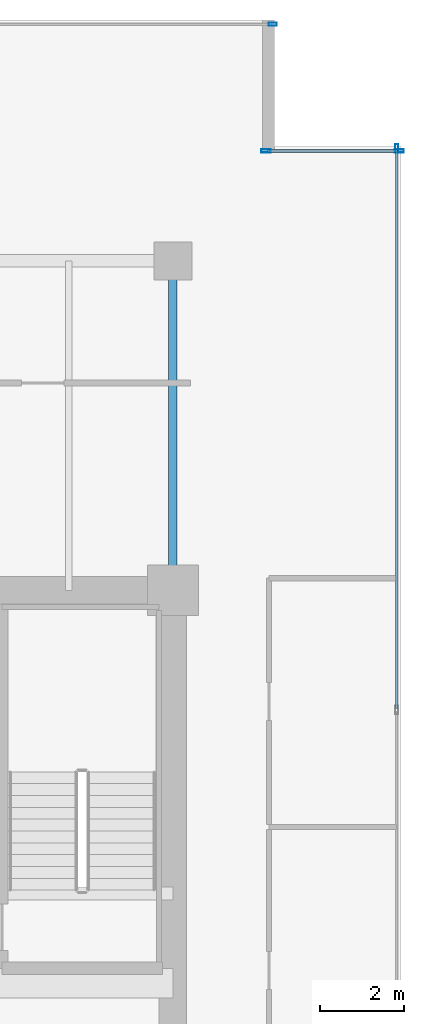
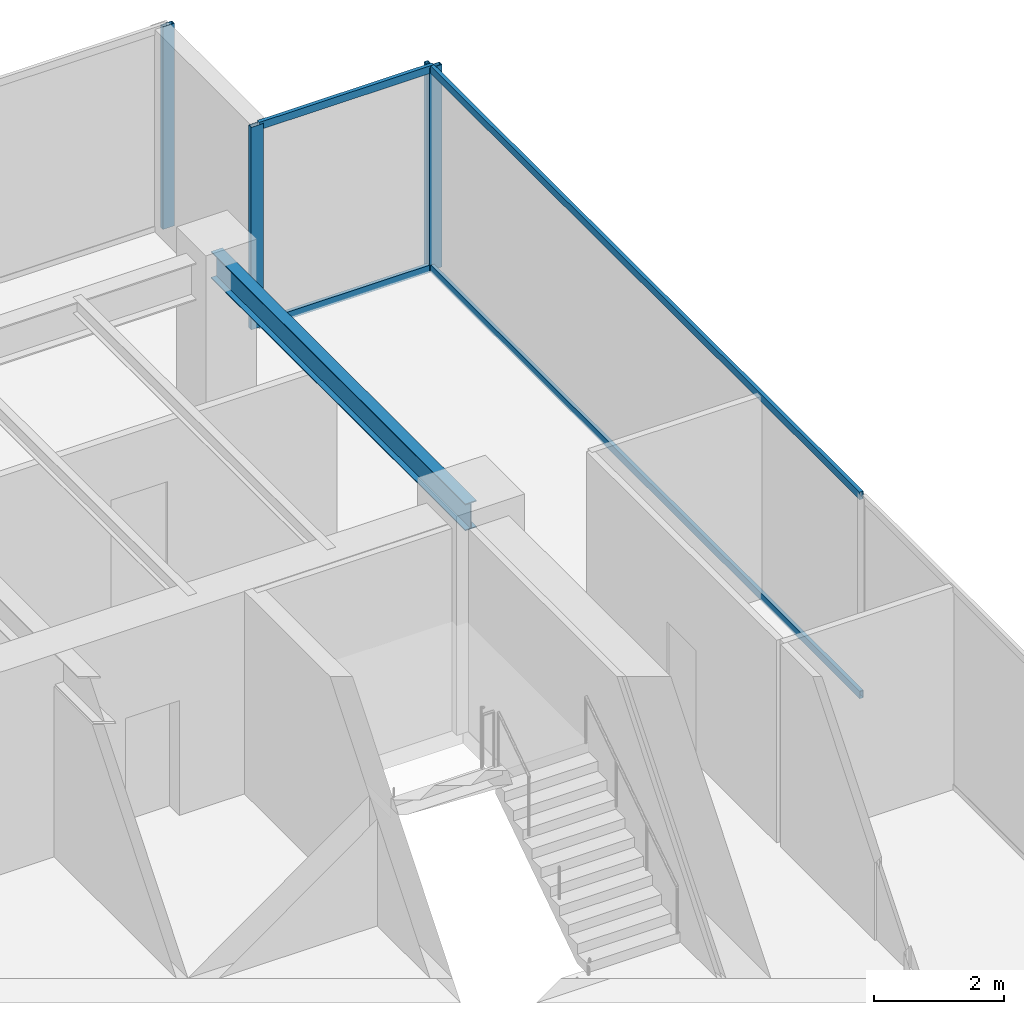
# One storey, part 23 of 31: 8 members, 1 beam, 3 elements without a shape of their own.
"""IFC4 building model written with IfcOpenShell, lengths in metres."""

import ifcopenshell
import ifcopenshell.guid

model = None  # the IFC model being written
_history = None  # IfcOwnerHistory: only IFC2X3 demands one
_inside = {}  # id of a spatial element -> (the spatial element, [elements in it])
_under = {}  # id of a project, library or spatial element -> (it, [spatial elements below it])
_declared = {}  # id of a project -> (the project, [libraries it declares])
_typed = {}  # id of a type object -> (the type object, [elements of that type])
_made_of = {}  # id of a material, layer set ... -> (it, [elements and type objects made of it])


def new_model(schema):
    """Start an empty IFC model of exactly this schema.

    Asked for "IFC4X3", IfcOpenShell would pick the latest addendum, in which some entities
    have other attributes; the version numbers below select the first issue.
    IFC2X3 requires an IfcOwnerHistory on every rooted entity: one is made here for all.
    """
    global model, _history
    if schema == "IFC4X3":
        model = ifcopenshell.file(schema_version=(4, 3, 0, 0))
    else:
        model = ifcopenshell.file(schema=schema)
    _inside.clear()
    _under.clear()
    _declared.clear()
    _typed.clear()
    _made_of.clear()
    _history = None
    if model.schema == "IFC2X3":
        org = make("IfcOrganization", Name="unknown")
        user = make(
            "IfcPersonAndOrganization",
            ThePerson=make("IfcPerson", FamilyName="unknown"),
            TheOrganization=org,
        )
        app = make(
            "IfcApplication",
            ApplicationDeveloper=org,
            Version="unknown",
            ApplicationFullName="unknown",
            ApplicationIdentifier="unknown",
        )
        _history = make(
            "IfcOwnerHistory",
            OwningUser=user,
            OwningApplication=app,
            ChangeAction="ADDED",
            CreationDate=0,
        )
    return model


def make(cls, **values):
    """One entity of the class cls with the attributes given. An attribute that is None is left unset."""
    return model.create_entity(
        cls, **{name: value for name, value in values.items() if value is not None}
    )


def rooted(cls, **values):
    """An entity with a GlobalId (a new one), such as an element, a storey or a relation."""
    return make(cls, GlobalId=ifcopenshell.guid.new(), OwnerHistory=_history, **values)


def si_unit(unit_type, name, prefix=None):
    """IfcSIUnit, for example si_unit("LENGTHUNIT", "METRE", prefix="MILLI")."""
    return make("IfcSIUnit", UnitType=unit_type, Prefix=prefix, Name=name)


def assignment(units):
    """IfcUnitAssignment: the units of a project."""
    return None if units is None else make("IfcUnitAssignment", Units=units)


def point(xyz):
    """IfcCartesianPoint."""
    return None if xyz is None else make("IfcCartesianPoint", Coordinates=xyz)


def direction(xyz):
    """IfcDirection."""
    return None if xyz is None else make("IfcDirection", DirectionRatios=xyz)


def frame(location, z_axis=None, x_axis=None):
    """IfcAxis2Placement3D, a coordinate frame: its origin and axes. An axis left out is left unset."""
    return make(
        "IfcAxis2Placement3D",
        Location=point(location),
        Axis=direction(z_axis),
        RefDirection=direction(x_axis),
    )


def frame_2d(location, x_axis=None):
    """IfcAxis2Placement2D, a coordinate frame in the plane: its origin and x axis."""
    return make(
        "IfcAxis2Placement2D", Location=point(location), RefDirection=direction(x_axis)
    )


def origin():
    """The frame at (0, 0, 0) with its axes left unset."""
    return frame((0.0, 0.0, 0.0))


def origin_2d():
    """The frame at (0, 0) in the plane with its x axis left unset."""
    return frame_2d((0.0, 0.0))


def place(relative_to, where):
    """IfcLocalPlacement: puts the frame where relative to a parent placement (None: the world)."""
    return make(
        "IfcLocalPlacement", PlacementRelTo=relative_to, RelativePlacement=where
    )


def context(
    kind, dimensions, precision=None, world=None, true_north=None, identifier=None
):
    """IfcGeometricRepresentationContext, for example the 3D "Model" context."""
    return make(
        "IfcGeometricRepresentationContext",
        ContextIdentifier=identifier,
        ContextType=kind,
        CoordinateSpaceDimension=dimensions,
        Precision=precision,
        WorldCoordinateSystem=world,
        TrueNorth=true_north,
    )


def subcontext(parent, identifier, kind, view, scale=None):
    """IfcGeometricRepresentationSubContext, for example "Body" below "Model"."""
    return make(
        "IfcGeometricRepresentationSubContext",
        ContextIdentifier=identifier,
        ContextType=kind,
        ParentContext=parent,
        TargetScale=scale,
        TargetView=view,
    )


def project(units=None, contexts=None):
    """IfcProject with its units and contexts."""
    return rooted(
        "IfcProject",
        Name="project",
        RepresentationContexts=contexts,
        UnitsInContext=assignment(units),
    )


def spatial(cls, under=None, at=None, **own):
    """A site, building, storey or space (cls), placed at a placement, below another one or the project."""
    s = rooted(cls, ObjectPlacement=at, **own)
    if under is not None:
        _under.setdefault(under.id(), (under, []))[1].append(s)
    return s


def profile(cls, at=None, kind="AREA", **sizes):
    """A parametric profile (cls). Its sizes go by their IFC names, for example OverallWidth=200.0."""
    return make(cls, ProfileType=kind, Position=at, **sizes)


def hollow_rectangle(**sizes):
    """IfcRectangleHollowProfileDef."""
    return profile("IfcRectangleHollowProfileDef", **sizes)


def i_section(**sizes):
    """IfcIShapeProfileDef."""
    return profile("IfcIShapeProfileDef", **sizes)


def extrude(swept, where, along, depth):
    """IfcExtrudedAreaSolid: the profile swept, set in the frame where, extruded along a direction by depth."""
    return make(
        "IfcExtrudedAreaSolid",
        SweptArea=swept,
        Position=where,
        ExtrudedDirection=direction(along),
        Depth=depth,
    )


def shape(context_of_items, identifier, shape_type, items):
    """IfcShapeRepresentation: the items that make up one representation, for example the "Body"."""
    return make(
        "IfcShapeRepresentation",
        ContextOfItems=context_of_items,
        RepresentationIdentifier=identifier,
        RepresentationType=shape_type,
        Items=items,
    )


def source(mapping_origin, context_of_items, identifier, shape_type, items):
    """IfcRepresentationMap: a shape defined once, which mapped items show again and again."""
    return make(
        "IfcRepresentationMap",
        MappingOrigin=mapping_origin,
        MappedRepresentation=shape(context_of_items, identifier, shape_type, items),
    )


def transform(
    local_origin,
    x_axis=None,
    y_axis=None,
    z_axis=None,
    scale=None,
    scale2=None,
    scale3=None,
    uniform=True,
):
    """IfcCartesianTransformationOperator3D, or its non-uniform kind. x_axis, y_axis, z_axis: its Axis1, 2, 3."""
    if uniform:
        return make(
            "IfcCartesianTransformationOperator3D",
            Axis1=direction(x_axis),
            Axis2=direction(y_axis),
            LocalOrigin=point(local_origin),
            Scale=scale,
            Axis3=direction(z_axis),
        )
    return make(
        "IfcCartesianTransformationOperator3DnonUniform",
        Axis1=direction(x_axis),
        Axis2=direction(y_axis),
        LocalOrigin=point(local_origin),
        Scale=scale,
        Axis3=direction(z_axis),
        Scale2=scale2,
        Scale3=scale3,
    )


def mapped(mapping_source, mapping_target):
    """IfcMappedItem: shows the shape of a source again, moved by a transform."""
    return make(
        "IfcMappedItem", MappingSource=mapping_source, MappingTarget=mapping_target
    )


def material(Name=None, Category=None):
    """IfcMaterial."""
    return make("IfcMaterial", Name=Name, Category=Category)


def layer(
    of_material, thickness, ventilated=None, Name=None, Category=None, Priority=None
):
    """IfcMaterialLayer: one layer of a wall or slab, of a material (None: an air gap)."""
    return make(
        "IfcMaterialLayer",
        Material=of_material,
        LayerThickness=thickness,
        IsVentilated=ventilated,
        Name=Name,
        Category=Category,
        Priority=Priority,
    )


def layer_set(layers, Name=None):
    """IfcMaterialLayerSet."""
    return make("IfcMaterialLayerSet", MaterialLayers=layers, LayerSetName=Name)


def material_profile(
    of_material, cross_section, Name=None, Category=None, Priority=None
):
    """IfcMaterialProfile: a cross section and its material."""
    return make(
        "IfcMaterialProfile",
        Name=Name,
        Material=of_material,
        Profile=cross_section,
        Priority=Priority,
        Category=Category,
    )


def profile_set(profiles, Name=None, composite=None):
    """IfcMaterialProfileSet."""
    return make(
        "IfcMaterialProfileSet",
        Name=Name,
        MaterialProfiles=profiles,
        CompositeProfile=composite,
    )


def made_of(thing, what):
    """Note that an element or type object is made of a material, layer set ...; save() writes the relation."""
    if what is not None:
        _made_of.setdefault(what.id(), (what, []))[1].append(thing)
    return thing


def type_object(cls, material=None, **own):
    """A type object (cls), such as IfcWallType, which elements share."""
    return made_of(rooted(cls, **own), material)


def type_shapes(of_type, sources):
    """Give a type object the sources (RepresentationMaps) that its elements show as mapped items."""
    of_type.RepresentationMaps = sources


def element(
    cls,
    number,
    at=None,
    inside=None,
    cuts=None,
    type_object=None,
    material=None,
    context=None,
    identifier="Body",
    shape_type=None,
    held_by="IfcProductDefinitionShape",
    body=None,
    shapes=None,
    **own,
):
    """One element of the class cls, such as IfcWall. Its Tag is "e" and its number.

    at: its placement. inside: the storey or other place that contains it. cuts: it is an
    opening in that element (IfcRelVoidsElement). A single representation is given by context,
    identifier, shape_type and body (its items); several are given by shapes. held_by: the class
    of the entity that holds the representations. save() writes the other relations.
    """
    e = rooted(cls, Tag="e%d" % number, ObjectPlacement=at, **own)
    if body is not None:
        shapes = [shape(context, identifier, shape_type, body)]
    if shapes is not None:
        e.Representation = make(held_by, Representations=shapes)
    if inside is not None:
        _inside.setdefault(inside.id(), (inside, []))[1].append(e)
    if cuts is not None:
        rooted(
            "IfcRelVoidsElement", RelatingBuildingElement=cuts, RelatedOpeningElement=e
        )
    if type_object is not None:
        _typed.setdefault(type_object.id(), (type_object, []))[1].append(e)
    return made_of(e, material)


def aggregate(whole, parts):
    """IfcRelAggregates: a whole, such as a stair, and the parts it consists of."""
    return rooted("IfcRelAggregates", RelatingObject=whole, RelatedObjects=parts)


def save(model, path):
    """Write the relations noted so far, then the file.

    IfcRelAggregates (storeys below a building ...), IfcRelContainedInSpatialStructure (elements
    in a storey), IfcRelDefinesByType, IfcRelAssociatesMaterial and IfcRelDeclares: one each for
    every whole, place, type object, material and project.
    """
    for whole, parts in _under.values():
        aggregate(whole, parts)
    for where, things in _inside.values():
        rooted(
            "IfcRelContainedInSpatialStructure",
            RelatedElements=things,
            RelatingStructure=where,
        )
    for kind, things in _typed.values():
        rooted("IfcRelDefinesByType", RelatedObjects=things, RelatingType=kind)
    for what, things in _made_of.values():
        rooted("IfcRelAssociatesMaterial", RelatedObjects=things, RelatingMaterial=what)
    for by, libraries in _declared.values():
        rooted("IfcRelDeclares", RelatingContext=by, RelatedDefinitions=libraries)
    model.write(path)


model = new_model("IFC4")

# Units and contexts
model_context = context("Model", 3, precision=1e-05, world=origin(), true_north=direction((0.0, 1.0)))
body_context = subcontext(model_context, "Body", "Model", "MODEL_VIEW")
ifc_project = project(units=[si_unit("LENGTHUNIT", "METRE"), si_unit("AREAUNIT", "SQUARE_METRE"), si_unit("VOLUMEUNIT", "CUBIC_METRE"), si_unit("PLANEANGLEUNIT", "RADIAN"), si_unit("MASSUNIT", "GRAM", prefix="KILO")], contexts=[model_context])

# Site, building, storey
site_placement = place(None, origin())
site = spatial("IfcSite", under=ifc_project, at=site_placement, CompositionType="ELEMENT")
building_placement = place(site_placement, origin())
building = spatial("IfcBuilding", under=site, at=building_placement, Name="Haelvirn Gate Laboratories", CompositionType="ELEMENT")
storey_placement = place(building_placement, frame((0.0, 0.0, 150.199951171875)))
storey = spatial("IfcBuildingStorey", under=building, at=storey_placement, Name="L36", CompositionType="ELEMENT", Elevation=150.199951171875)

# Beam
ifc_material_1 = material(Name="Steel SM355", Category="steel")
ifc_material_profile_1 = material_profile(ifc_material_1, i_section(OverallWidth=0.199951171875, OverallDepth=0.5, WebThickness=0.010009765625, FlangeThickness=0.01611328125, at=origin_2d()), Name="H-500x200x10x16")
ifc_profile_set_1 = profile_set([ifc_material_profile_1], Name="Steel SM355")
beam_type = type_object("IfcBeamType", Name="BM-SP-500", PredefinedType="SPANDREL", material=ifc_profile_set_1)
shared_shape_1 = source(origin(), body_context, "Body", "SweptSolid", [
    extrude(i_section(OverallWidth=0.199951171875, OverallDepth=0.5, WebThickness=0.010009765625, FlangeThickness=0.01611328125, at=origin_2d()), origin(), (0.0, 0.0, 1.0), 7.800048828125),
])
type_shapes(beam_type, [shared_shape_1])
beam_placement = place(storey_placement, frame((67.39990234375, 33.800048828125, 3.5400390625), z_axis=(0.0, 1.0, 0.0), x_axis=(-1.0, 0.0, 0.0)))
element("IfcBeam", 1, at=beam_placement, inside=storey, type_object=beam_type, Name="L36 Perimeter Spandrel X67.4 (33.8-41.6)", PredefinedType="SPANDREL", context=body_context, shape_type="MappedRepresentation", body=[
    mapped(shared_shape_1, transform((0.0, 0.0, 0.0), scale=1.0)),
])

# Curtain wall, members
ifc_material_2 = material(Name="Anodised bronze unitised aluminium & triple low-E glass", Category="aluminium")
ifc_layer_1 = layer(ifc_material_2, 0.181884765625, Name="CW-SYS-5")
ifc_layer_set_1 = layer_set([ifc_layer_1], Name="Anodised bronze unitised aluminium & triple low-E glass")
curtain_wall_type_1 = type_object("IfcCurtainWallType", Name="CW-SYS-5", PredefinedType="NOTDEFINED", material=ifc_layer_set_1)
curtain_wall_1_placement = place(storey_placement, origin())
curtain_wall_1 = element("IfcCurtainWall", 2, at=curtain_wall_1_placement, inside=storey, type_object=curtain_wall_type_1, Name="L36 Unitised Curtain Wall CW-L36-P0-E08-1", PredefinedType="NOTDEFINED")
ifc_material_3 = material(Name="Extruded aluminium 6063-T6 (anodised bronze)", Category="aluminium")
ifc_material_profile_2 = material_profile(ifc_material_3, hollow_rectangle(XDim=0.06494140625, YDim=0.139892578125, WallThickness=0.00390625, at=origin_2d()), Name="CWT-140x65x4")
ifc_profile_set_2 = profile_set([ifc_material_profile_2], Name="Extruded aluminium 6063-T6 (anodised bronze)")
member_type_1 = type_object("IfcMemberType", Name="CWT-T140", PredefinedType="USERDEFINED", material=ifc_profile_set_2)
shared_shape_2 = source(origin(), body_context, "Body", "SweptSolid", [
    extrude(hollow_rectangle(XDim=0.06494140625, YDim=0.139892578125, WallThickness=0.00390625, at=origin_2d()), origin(), (0.0, 0.0, 1.0), 3.080078125),
])
member_1_placement = place(storey_placement, frame((69.639892578125, 44.199951171875, 0.032470703125), z_axis=(1.0, 0.0, 0.0), x_axis=(0.0, 1.0, 0.0)))
member_1 = element("IfcMember", 3, at=member_1_placement, type_object=member_type_1, Name="CW5 transom 1.1", ObjectType="TRANSOM", PredefinedType="USERDEFINED", context=body_context, shape_type="MappedRepresentation", body=[
    mapped(shared_shape_2, transform((0.0, 0.0, 0.0), scale=1.0)),
])
member_2_placement = place(storey_placement, frame((69.639892578125, 44.199951171875, 3.757568359375), z_axis=(1.0, 0.0, 0.0), x_axis=(0.0, 1.0, 0.0)))
member_2 = element("IfcMember", 4, at=member_2_placement, type_object=member_type_1, Name="CW5 transom 1.2", ObjectType="TRANSOM", PredefinedType="USERDEFINED", context=body_context, shape_type="MappedRepresentation", body=[
    mapped(shared_shape_2, transform((0.0, 0.0, 0.0), scale=1.0)),
])

ifc_layer_2 = layer(ifc_material_2, 0.179931640625, Name="CW-SYS-3")
ifc_layer_set_2 = layer_set([ifc_layer_2], Name="Anodised bronze unitised aluminium & triple low-E glass")
curtain_wall_type_2 = type_object("IfcCurtainWallType", Name="CW-SYS-3", PredefinedType="NOTDEFINED", material=ifc_layer_set_2)
curtain_wall_2_placement = place(storey_placement, origin())
curtain_wall_2 = element("IfcCurtainWall", 5, at=curtain_wall_2_placement, inside=storey, type_object=curtain_wall_type_2, Name="L36 Unitised Curtain Wall CW-L36-P0-E07", PredefinedType="NOTDEFINED")
shared_shape_3 = source(origin(), body_context, "Body", "SweptSolid", [
    extrude(hollow_rectangle(XDim=0.06494140625, YDim=0.139892578125, WallThickness=0.00390625, at=origin_2d()), origin(), (0.0, 0.0, 1.0), 13.220947265625),
])
type_shapes(member_type_1, [shared_shape_2, shared_shape_3])
member_3_placement = place(storey_placement, frame((72.699951171875, 31.004150390625, 0.032470703125), z_axis=(0.0, 1.0, 0.0), x_axis=(-1.0, 0.0, 0.0)))
member_3 = element("IfcMember", 6, at=member_3_placement, type_object=member_type_1, Name="CW3 transom 3.1", ObjectType="TRANSOM", PredefinedType="USERDEFINED", context=body_context, shape_type="MappedRepresentation", body=[
    mapped(shared_shape_3, transform((0.0, 0.0, 0.0), scale=1.0)),
])
member_4_placement = place(storey_placement, frame((72.699951171875, 31.004150390625, 3.757568359375), z_axis=(0.0, 1.0, 0.0), x_axis=(-1.0, 0.0, 0.0)))
member_4 = element("IfcMember", 7, at=member_4_placement, type_object=member_type_1, Name="CW3 transom 3.2", ObjectType="TRANSOM", PredefinedType="USERDEFINED", context=body_context, shape_type="MappedRepresentation", body=[
    mapped(shared_shape_3, transform((0.0, 0.0, 0.0), scale=1.0)),
])
ifc_material_profile_3 = material_profile(ifc_material_3, hollow_rectangle(XDim=0.074951171875, YDim=0.199951171875, WallThickness=0.0048828125, at=origin_2d()), Name="CWM-200x75x5")
ifc_profile_set_3 = profile_set([ifc_material_profile_3], Name="Extruded aluminium 6063-T6 (anodised bronze)")
member_type_2 = type_object("IfcMemberType", Name="CWM-T200", PredefinedType="MULLION", material=ifc_profile_set_3)
shared_shape_4 = source(origin(), body_context, "Body", "SweptSolid", [
    extrude(hollow_rectangle(XDim=0.074951171875, YDim=0.199951171875, WallThickness=0.0048828125, at=origin_2d()), origin(), (0.0, 0.0, 1.0), 3.7900390625),
])
type_shapes(member_type_2, [shared_shape_4])
member_5_placement = place(storey_placement, frame((72.699951171875, 44.262451171875, 0.0), z_axis=(0.0, 0.0, 1.0), x_axis=(-1.0, 0.0, 0.0)))
member_5 = element("IfcMember", 8, at=member_5_placement, type_object=member_type_2, Name="CW3 mullion 4", PredefinedType="MULLION", context=body_context, shape_type="MappedRepresentation", body=[
    mapped(shared_shape_4, transform((0.0, 0.0, 0.0), scale=1.0)),
])
aggregate(curtain_wall_2, [member_5, member_3, member_4])

# Curtain wall, member
curtain_wall_3_placement = place(storey_placement, origin())
curtain_wall_3 = element("IfcCurtainWall", 9, at=curtain_wall_3_placement, inside=storey, type_object=curtain_wall_type_2, Name="L36 Unitised Curtain Wall CW-L36-P0-E10-1", PredefinedType="NOTDEFINED")
member_6_placement = place(storey_placement, frame((69.762451171875, 47.199951171875, 0.0), z_axis=(0.0, 0.0, 1.0), x_axis=(0.0, 1.0, 0.0)))
member_6 = element("IfcMember", 10, at=member_6_placement, type_object=member_type_2, Name="CW3 mullion 3", PredefinedType="MULLION", context=body_context, shape_type="MappedRepresentation", body=[
    mapped(shared_shape_4, transform((0.0, 0.0, 0.0), scale=1.0)),
])
aggregate(curtain_wall_3, [member_6])

# Member
ifc_material_profile_4 = material_profile(ifc_material_3, hollow_rectangle(XDim=0.080078125, YDim=0.219970703125, WallThickness=0.006103515625, at=origin_2d()), Name="CWM-220x80x6")
ifc_profile_set_4 = profile_set([ifc_material_profile_4], Name="Extruded aluminium 6063-T6 (anodised bronze)")
member_type_3 = type_object("IfcMemberType", Name="CWM-T220", PredefinedType="MULLION", material=ifc_profile_set_4)
shared_shape_5 = source(origin(), body_context, "Body", "SweptSolid", [
    extrude(hollow_rectangle(XDim=0.080078125, YDim=0.219970703125, WallThickness=0.006103515625, at=origin_2d()), origin(), (0.0, 0.0, 1.0), 3.7900390625),
])
type_shapes(member_type_3, [shared_shape_5])
member_7_placement = place(storey_placement, frame((69.60009765625, 44.199951171875, 0.0), z_axis=(0.0, 0.0, 1.0), x_axis=(0.0, 1.0, 0.0)))
member_7 = element("IfcMember", 11, at=member_7_placement, type_object=member_type_3, Name="CW5 mullion 1", PredefinedType="MULLION", context=body_context, shape_type="MappedRepresentation", body=[
    mapped(shared_shape_5, transform((0.0, 0.0, 0.0), scale=1.0)),
])

member_8_placement = place(storey_placement, frame((72.760009765625, 44.199951171875, 0.0), z_axis=(0.0, 0.0, 1.0), x_axis=(0.0, 1.0, 0.0)))
member_8 = element("IfcMember", 12, at=member_8_placement, type_object=member_type_3, Name="CW5 mullion 2", PredefinedType="MULLION", context=body_context, shape_type="MappedRepresentation", body=[
    mapped(shared_shape_5, transform((0.0, 0.0, 0.0), scale=1.0)),
])

aggregate(curtain_wall_1, [member_7, member_8, member_1, member_2])

save(model, "model.ifc")
